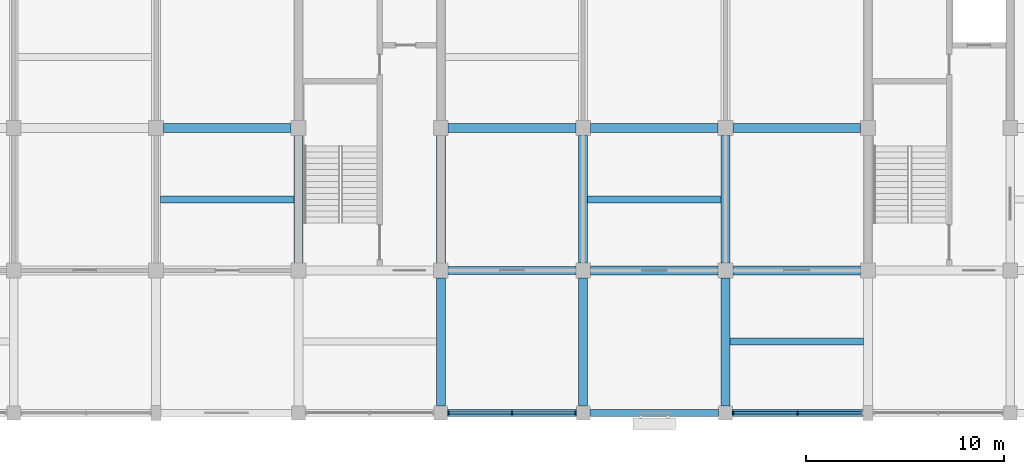
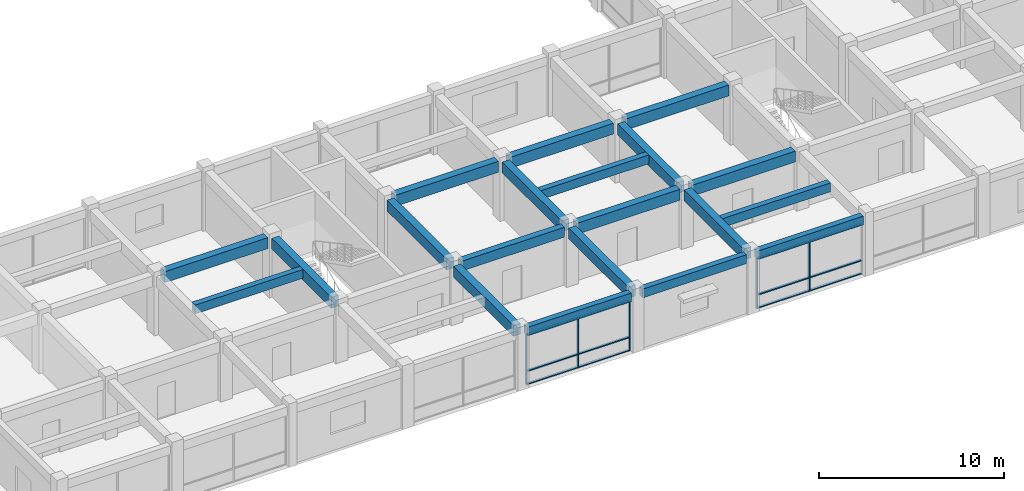
# One storey, part 3 of 31: 20 beams, 17 members, 2 elements without a shape of their own.
"""IFC4 building model written with IfcOpenShell, lengths in metres."""

from ifc_helpers import new_model, si_unit, direction, frame, origin, origin_2d, place, context, subcontext, project, spatial, rectangle, extrude, material, layer, layer_set, material_profile, profile_set, type_object, element, aggregate, save


model = new_model("IFC4")

# Units and contexts
model_context = context("Model", 3, precision=1e-05, world=origin(), true_north=direction((0.0, 1.0)))
body_context = subcontext(model_context, "Body", "Model", "MODEL_VIEW")
ifc_project = project(units=[si_unit("LENGTHUNIT", "METRE"), si_unit("AREAUNIT", "SQUARE_METRE"), si_unit("VOLUMEUNIT", "CUBIC_METRE"), si_unit("PLANEANGLEUNIT", "RADIAN"), si_unit("MASSUNIT", "GRAM", prefix="KILO")], contexts=[model_context])

# Site, building, storey
site_placement = place(None, origin())
site = spatial("IfcSite", under=ifc_project, at=site_placement, CompositionType="ELEMENT")
building_placement = place(site_placement, origin())
building = spatial("IfcBuilding", under=site, at=building_placement, Name="Cendaluz Park School", CompositionType="ELEMENT")
storey_placement = place(building_placement, frame((0.0, 0.0, 14.39990234375)))
storey = spatial("IfcBuildingStorey", under=building, at=storey_placement, Name="L03", CompositionType="ELEMENT", Elevation=14.39990234375)

# Beams
ifc_material_1 = material(Name="Concrete C40/50", Category="concrete")
ifc_material_profile_1 = material_profile(ifc_material_1, rectangle(XDim=0.449951171875, YDim=0.719970703125, at=origin_2d()), Name="RC 450x720", Category="concrete")
ifc_profile_set_1 = profile_set([ifc_material_profile_1], Name="Concrete C40/50")
beam_type_1 = type_object("IfcBeamType", Name="BM-RC02", PredefinedType="BEAM", material=ifc_profile_set_1)
for number, where, z_axis, x_axis, name in (
    (1, (29.175048828125, 21.60009765625, 3.530029296875), (1.0, 0.0, 0.0), (0.0, 1.0, 0.0), "BM-L03-BMRC02-0011"),
    (2, (43.574951171875, 21.60009765625, 3.530029296875), (1.0, 0.0, 0.0), (0.0, 1.0, 0.0), "BM-L03-BMRC02-0018"),
):
    element("IfcBeam", number, at=place(storey_placement, frame(where, z_axis=z_axis, x_axis=x_axis)), inside=storey, type_object=beam_type_1, Name=name, PredefinedType="BEAM", context=body_context, shape_type="SweptSolid", body=[
        extrude(rectangle(XDim=0.449951171875, YDim=0.719970703125, at=origin_2d()), origin(), (0.0, 0.0, 1.0), 6.449951171875),
    ])
for number, where, z_axis, x_axis, name in (
    (3, (50.77490234375, 14.39990234375, 3.530029296875), (1.0, 0.0, 0.0), (0.0, 1.0, 0.0), "BM-L03-BMRC02-0021"),
    (4, (50.77490234375, 21.60009765625, 3.530029296875), (1.0, 0.0, 0.0), (0.0, 1.0, 0.0), "BM-L03-BMRC02-0022"),
):
    element("IfcBeam", number, at=place(storey_placement, frame(where, z_axis=z_axis, x_axis=x_axis)), inside=storey, type_object=beam_type_1, Name=name, PredefinedType="BEAM", context=body_context, shape_type="SweptSolid", body=[
        extrude(rectangle(XDim=0.449951171875, YDim=0.719970703125, at=origin_2d()), origin(), (0.0, 0.0, 1.0), 6.4501953125),
    ])
for number, where, z_axis, x_axis, name in (
    (5, (57.97509765625, 14.39990234375, 3.530029296875), (1.0, 0.0, 0.0), (0.0, 1.0, 0.0), "BM-L03-BMRC02-0025"),
    (6, (57.97509765625, 21.60009765625, 3.530029296875), (1.0, 0.0, 0.0), (0.0, 1.0, 0.0), "BM-L03-BMRC02-0026"),
):
    element("IfcBeam", number, at=place(storey_placement, frame(where, z_axis=z_axis, x_axis=x_axis)), inside=storey, type_object=beam_type_1, Name=name, PredefinedType="BEAM", context=body_context, shape_type="SweptSolid", body=[
        extrude(rectangle(XDim=0.449951171875, YDim=0.719970703125, at=origin_2d()), origin(), (0.0, 0.0, 1.0), 6.449951171875),
    ])
beam_1_placement = place(storey_placement, frame((36.0, 14.77490234375, 3.530029296875), z_axis=(0.0, 1.0, 0.0), x_axis=(-1.0, 0.0, 0.0)))
element("IfcBeam", 7, at=beam_1_placement, inside=storey, type_object=beam_type_1, Name="BM-L03-BMRC02-0121", PredefinedType="BEAM", context=body_context, shape_type="SweptSolid", body=[
    extrude(rectangle(XDim=0.449951171875, YDim=0.719970703125, at=origin_2d()), origin(), (0.0, 0.0, 1.0), 6.4501953125),
])
beam_2_placement = place(storey_placement, frame((43.199951171875, 7.550048828125, 3.530029296875), z_axis=(0.0, 1.0, 0.0), x_axis=(-1.0, 0.0, 0.0)))
element("IfcBeam", 8, at=beam_2_placement, inside=storey, type_object=beam_type_1, Name="BM-L03-BMRC02-0123", PredefinedType="BEAM", context=body_context, shape_type="SweptSolid", body=[
    extrude(rectangle(XDim=0.449951171875, YDim=0.719970703125, at=origin_2d()), origin(), (0.0, 0.0, 1.0), 6.474853515625),
])
beam_3_placement = place(storey_placement, frame((43.199951171875, 14.77490234375, 3.530029296875), z_axis=(0.0, 1.0, 0.0), x_axis=(-1.0, 0.0, 0.0)))
element("IfcBeam", 9, at=beam_3_placement, inside=storey, type_object=beam_type_1, Name="BM-L03-BMRC02-0124", PredefinedType="BEAM", context=body_context, shape_type="SweptSolid", body=[
    extrude(rectangle(XDim=0.449951171875, YDim=0.719970703125, at=origin_2d()), origin(), (0.0, 0.0, 1.0), 6.4501953125),
])
beam_4_placement = place(storey_placement, frame((50.39990234375, 7.550048828125, 3.530029296875), z_axis=(0.0, 1.0, 0.0), x_axis=(-1.0, 0.0, 0.0)))
element("IfcBeam", 10, at=beam_4_placement, inside=storey, type_object=beam_type_1, Name="BM-L03-BMRC02-0126", PredefinedType="BEAM", context=body_context, shape_type="SweptSolid", body=[
    extrude(rectangle(XDim=0.449951171875, YDim=0.719970703125, at=origin_2d()), origin(), (0.0, 0.0, 1.0), 6.474853515625),
])
beam_5_placement = place(storey_placement, frame((50.39990234375, 14.77490234375, 3.530029296875), z_axis=(0.0, 1.0, 0.0), x_axis=(-1.0, 0.0, 0.0)))
element("IfcBeam", 11, at=beam_5_placement, inside=storey, type_object=beam_type_1, Name="BM-L03-BMRC02-0127", PredefinedType="BEAM", context=body_context, shape_type="SweptSolid", body=[
    extrude(rectangle(XDim=0.449951171875, YDim=0.719970703125, at=origin_2d()), origin(), (0.0, 0.0, 1.0), 6.4501953125),
])
beam_6_placement = place(storey_placement, frame((57.60009765625, 7.550048828125, 3.530029296875), z_axis=(0.0, 1.0, 0.0), x_axis=(-1.0, 0.0, 0.0)))
element("IfcBeam", 12, at=beam_6_placement, inside=storey, type_object=beam_type_1, Name="BM-L03-BMRC02-0129", PredefinedType="BEAM", context=body_context, shape_type="SweptSolid", body=[
    extrude(rectangle(XDim=0.449951171875, YDim=0.719970703125, at=origin_2d()), origin(), (0.0, 0.0, 1.0), 6.474853515625),
])
beam_7_placement = place(storey_placement, frame((57.60009765625, 14.77490234375, 3.530029296875), z_axis=(0.0, 1.0, 0.0), x_axis=(-1.0, 0.0, 0.0)))
element("IfcBeam", 13, at=beam_7_placement, inside=storey, type_object=beam_type_1, Name="BM-L03-BMRC02-0130", PredefinedType="BEAM", context=body_context, shape_type="SweptSolid", body=[
    extrude(rectangle(XDim=0.449951171875, YDim=0.719970703125, at=origin_2d()), origin(), (0.0, 0.0, 1.0), 6.4501953125),
])
ifc_material_profile_2 = material_profile(ifc_material_1, rectangle(XDim=0.39990234375, YDim=0.64990234375, at=origin_2d()), Name="RC 400x650", Category="concrete")
ifc_profile_set_2 = profile_set([ifc_material_profile_2], Name="Concrete C40/50")
beam_type_2 = type_object("IfcBeamType", Name="BM-RC03", PredefinedType="T_BEAM", material=ifc_profile_set_2)
beam_8_placement = place(storey_placement, frame((43.574951171875, 14.39990234375, 3.565185546875), z_axis=(1.0, 0.0, 0.0), x_axis=(0.0, 1.0, 0.0)))
element("IfcBeam", 14, at=beam_8_placement, inside=storey, type_object=beam_type_2, Name="BM-L03-BMRC03-0017", PredefinedType="T_BEAM", context=body_context, shape_type="SweptSolid", body=[
    extrude(rectangle(XDim=0.39990234375, YDim=0.64990234375, at=origin_2d()), origin(), (0.0, 0.0, 1.0), 6.449951171875),
])
ifc_material_profile_3 = material_profile(ifc_material_1, rectangle(XDim=0.35009765625, YDim=0.580078125, at=origin_2d()), Name="RC 350x580", Category="concrete")
ifc_profile_set_3 = profile_set([ifc_material_profile_3], Name="Concrete C40/50")
beam_type_3 = type_object("IfcBeamType", Name="BM-RC04", PredefinedType="LINTEL", material=ifc_profile_set_3)
for number, where, z_axis, x_axis, name in (
    (15, (43.550048828125, 7.199951171875, 3.60009765625), (1.0, 0.0, 0.0), (0.0, 1.0, 0.0), "BM-L03-BMRC04-0016"),
    (16, (50.75, 7.199951171875, 3.60009765625), (1.0, 0.0, 0.0), (0.0, 1.0, 0.0), "BM-L03-BMRC04-0020"),
):
    element("IfcBeam", number, at=place(storey_placement, frame(where, z_axis=z_axis, x_axis=x_axis)), inside=storey, type_object=beam_type_3, Name=name, PredefinedType="LINTEL", context=body_context, shape_type="SweptSolid", body=[
        extrude(rectangle(XDim=0.35009765625, YDim=0.580078125, at=origin_2d()), origin(), (0.0, 0.0, 1.0), 6.5),
    ])
beam_9_placement = place(storey_placement, frame((57.949951171875, 7.199951171875, 3.60009765625), z_axis=(1.0, 0.0, 0.0), x_axis=(0.0, 1.0, 0.0)))
element("IfcBeam", 17, at=beam_9_placement, inside=storey, type_object=beam_type_3, Name="BM-L03-BMRC04-0024", PredefinedType="LINTEL", context=body_context, shape_type="SweptSolid", body=[
    extrude(rectangle(XDim=0.35009765625, YDim=0.580078125, at=origin_2d()), origin(), (0.0, 0.0, 1.0), 6.60009765625),
])

# Curtain wall, members
ifc_material_2 = material(Name="Anodised Aluminium 6063-T6", Category="aluminium")
ifc_layer_1 = layer(ifc_material_2, 0.179931640625)
ifc_layer_set_1 = layer_set([ifc_layer_1], Name="Anodised Aluminium 6063-T6")
curtain_wall_type_1 = type_object("IfcCurtainWallType", Name="CW-130x66", PredefinedType="NOTDEFINED", material=ifc_layer_set_1)
curtain_wall_1_placement = place(storey_placement, origin())
curtain_wall_1 = element("IfcCurtainWall", 18, at=curtain_wall_1_placement, inside=storey, type_object=curtain_wall_type_1, Name="CW-L03-136", PredefinedType="NOTDEFINED")
ifc_material_profile_4 = material_profile(ifc_material_2, rectangle(XDim=0.179931640625, YDim=0.070068359375, at=origin_2d()), Name="CWM 180x70", Category="aluminium")
ifc_profile_set_4 = profile_set([ifc_material_profile_4], Name="Anodised Aluminium 6063-T6")
member_type_1 = type_object("IfcMemberType", Name="CWM-01", PredefinedType="MULLION", material=ifc_profile_set_4)
member_1_placement = place(storey_placement, frame((43.5849609375, 7.199951171875, 0.0), z_axis=(0.0, 0.0, 1.0), x_axis=(0.0, 1.0, 0.0)))
member_1 = element("IfcMember", 19, at=member_1_placement, type_object=member_type_1, Name="CP-L03-1756", PredefinedType="MULLION", context=body_context, shape_type="SweptSolid", body=[
    extrude(rectangle(XDim=0.179931640625, YDim=0.070068359375, at=origin_2d()), origin(), (0.0, 0.0, 1.0), 3.31005859375),
])
member_2_placement = place(storey_placement, frame((46.800048828125, 7.199951171875, 0.0), z_axis=(0.0, 0.0, 1.0), x_axis=(0.0, 1.0, 0.0)))
member_2 = element("IfcMember", 20, at=member_2_placement, type_object=member_type_1, Name="CP-L03-1757", PredefinedType="MULLION", context=body_context, shape_type="SweptSolid", body=[
    extrude(rectangle(XDim=0.179931640625, YDim=0.070068359375, at=origin_2d()), origin(), (0.0, 0.0, 1.0), 3.31005859375),
])
member_3_placement = place(storey_placement, frame((50.014892578125, 7.199951171875, 0.0), z_axis=(0.0, 0.0, 1.0), x_axis=(0.0, 1.0, 0.0)))
member_3 = element("IfcMember", 21, at=member_3_placement, type_object=member_type_1, Name="CP-L03-1758", PredefinedType="MULLION", context=body_context, shape_type="SweptSolid", body=[
    extrude(rectangle(XDim=0.179931640625, YDim=0.070068359375, at=origin_2d()), origin(), (0.0, 0.0, 1.0), 3.31005859375),
])

ifc_layer_2 = layer(ifc_material_2, 0.179931640625)
ifc_layer_set_2 = layer_set([ifc_layer_2], Name="Anodised Aluminium 6063-T6")
curtain_wall_type_2 = type_object("IfcCurtainWallType", Name="CW-132x66", PredefinedType="NOTDEFINED", material=ifc_layer_set_2)
curtain_wall_2_placement = place(storey_placement, origin())
curtain_wall_2 = element("IfcCurtainWall", 22, at=curtain_wall_2_placement, inside=storey, type_object=curtain_wall_type_2, Name="CW-L03-138", PredefinedType="NOTDEFINED")
member_4_placement = place(storey_placement, frame((57.985107421875, 7.199951171875, 0.0), z_axis=(0.0, 0.0, 1.0), x_axis=(0.0, 1.0, 0.0)))
member_4 = element("IfcMember", 23, at=member_4_placement, type_object=member_type_1, Name="CP-L03-1782", PredefinedType="MULLION", context=body_context, shape_type="SweptSolid", body=[
    extrude(rectangle(XDim=0.179931640625, YDim=0.070068359375, at=origin_2d()), origin(), (0.0, 0.0, 1.0), 3.31005859375),
])
member_5_placement = place(storey_placement, frame((61.25, 7.199951171875, 0.0), z_axis=(0.0, 0.0, 1.0), x_axis=(0.0, 1.0, 0.0)))
member_5 = element("IfcMember", 24, at=member_5_placement, type_object=member_type_1, Name="CP-L03-1783", PredefinedType="MULLION", context=body_context, shape_type="SweptSolid", body=[
    extrude(rectangle(XDim=0.179931640625, YDim=0.070068359375, at=origin_2d()), origin(), (0.0, 0.0, 1.0), 3.31005859375),
])

# Member
ifc_material_profile_5 = material_profile(ifc_material_2, rectangle(XDim=0.139892578125, YDim=0.070068359375, at=origin_2d()), Name="CWT 140x70", Category="aluminium")
ifc_profile_set_5 = profile_set([ifc_material_profile_5], Name="Anodised Aluminium 6063-T6")
member_type_2 = type_object("IfcMemberType", Name="CWT-01", PredefinedType="USERDEFINED", material=ifc_profile_set_5)
member_6_placement = place(storey_placement, frame((43.6201171875, 7.199951171875, 0.03515625), z_axis=(1.0, 0.0, 0.0), x_axis=(0.0, 1.0, 0.0)))
member_6 = element("IfcMember", 25, at=member_6_placement, type_object=member_type_2, Name="CP-L03-1759", ObjectType="TRANSOM", PredefinedType="USERDEFINED", context=body_context, shape_type="SweptSolid", body=[
    extrude(rectangle(XDim=0.139892578125, YDim=0.070068359375, at=origin_2d()), origin(), (0.0, 0.0, 1.0), 3.144775390625),
])

member_7_placement = place(storey_placement, frame((43.6201171875, 7.199951171875, 0.900146484375), z_axis=(1.0, 0.0, 0.0), x_axis=(0.0, 1.0, 0.0)))
member_7 = element("IfcMember", 26, at=member_7_placement, type_object=member_type_2, Name="CP-L03-1760", ObjectType="TRANSOM", PredefinedType="USERDEFINED", context=body_context, shape_type="SweptSolid", body=[
    extrude(rectangle(XDim=0.139892578125, YDim=0.070068359375, at=origin_2d()), origin(), (0.0, 0.0, 1.0), 3.144775390625),
])

member_8_placement = place(storey_placement, frame((43.6201171875, 7.199951171875, 3.275146484375), z_axis=(1.0, 0.0, 0.0), x_axis=(0.0, 1.0, 0.0)))
member_8 = element("IfcMember", 27, at=member_8_placement, type_object=member_type_2, Name="CP-L03-1761", ObjectType="TRANSOM", PredefinedType="USERDEFINED", context=body_context, shape_type="SweptSolid", body=[
    extrude(rectangle(XDim=0.139892578125, YDim=0.070068359375, at=origin_2d()), origin(), (0.0, 0.0, 1.0), 3.144775390625),
])

member_9_placement = place(storey_placement, frame((46.8349609375, 7.199951171875, 0.03515625), z_axis=(1.0, 0.0, 0.0), x_axis=(0.0, 1.0, 0.0)))
member_9 = element("IfcMember", 28, at=member_9_placement, type_object=member_type_2, Name="CP-L03-1764", ObjectType="TRANSOM", PredefinedType="USERDEFINED", context=body_context, shape_type="SweptSolid", body=[
    extrude(rectangle(XDim=0.139892578125, YDim=0.070068359375, at=origin_2d()), origin(), (0.0, 0.0, 1.0), 3.14501953125),
])

member_10_placement = place(storey_placement, frame((46.8349609375, 7.199951171875, 0.900146484375), z_axis=(1.0, 0.0, 0.0), x_axis=(0.0, 1.0, 0.0)))
member_10 = element("IfcMember", 29, at=member_10_placement, type_object=member_type_2, Name="CP-L03-1765", ObjectType="TRANSOM", PredefinedType="USERDEFINED", context=body_context, shape_type="SweptSolid", body=[
    extrude(rectangle(XDim=0.139892578125, YDim=0.070068359375, at=origin_2d()), origin(), (0.0, 0.0, 1.0), 3.14501953125),
])

member_11_placement = place(storey_placement, frame((46.8349609375, 7.199951171875, 3.275146484375), z_axis=(1.0, 0.0, 0.0), x_axis=(0.0, 1.0, 0.0)))
member_11 = element("IfcMember", 30, at=member_11_placement, type_object=member_type_2, Name="CP-L03-1766", ObjectType="TRANSOM", PredefinedType="USERDEFINED", context=body_context, shape_type="SweptSolid", body=[
    extrude(rectangle(XDim=0.139892578125, YDim=0.070068359375, at=origin_2d()), origin(), (0.0, 0.0, 1.0), 3.14501953125),
])

aggregate(curtain_wall_1, [member_1, member_2, member_3, member_6, member_7, member_8, member_9, member_10, member_11])

member_12_placement = place(storey_placement, frame((58.02001953125, 7.199951171875, 0.03515625), z_axis=(1.0, 0.0, 0.0), x_axis=(0.0, 1.0, 0.0)))
member_12 = element("IfcMember", 31, at=member_12_placement, type_object=member_type_2, Name="CP-L03-1785", ObjectType="TRANSOM", PredefinedType="USERDEFINED", context=body_context, shape_type="SweptSolid", body=[
    extrude(rectangle(XDim=0.139892578125, YDim=0.070068359375, at=origin_2d()), origin(), (0.0, 0.0, 1.0), 3.195068359375),
])

member_13_placement = place(storey_placement, frame((58.02001953125, 7.199951171875, 0.900146484375), z_axis=(1.0, 0.0, 0.0), x_axis=(0.0, 1.0, 0.0)))
member_13 = element("IfcMember", 32, at=member_13_placement, type_object=member_type_2, Name="CP-L03-1786", ObjectType="TRANSOM", PredefinedType="USERDEFINED", context=body_context, shape_type="SweptSolid", body=[
    extrude(rectangle(XDim=0.139892578125, YDim=0.070068359375, at=origin_2d()), origin(), (0.0, 0.0, 1.0), 3.195068359375),
])

member_14_placement = place(storey_placement, frame((58.02001953125, 7.199951171875, 3.275146484375), z_axis=(1.0, 0.0, 0.0), x_axis=(0.0, 1.0, 0.0)))
member_14 = element("IfcMember", 33, at=member_14_placement, type_object=member_type_2, Name="CP-L03-1787", ObjectType="TRANSOM", PredefinedType="USERDEFINED", context=body_context, shape_type="SweptSolid", body=[
    extrude(rectangle(XDim=0.139892578125, YDim=0.070068359375, at=origin_2d()), origin(), (0.0, 0.0, 1.0), 3.195068359375),
])

member_15_placement = place(storey_placement, frame((61.284912109375, 7.199951171875, 0.03515625), z_axis=(1.0, 0.0, 0.0), x_axis=(0.0, 1.0, 0.0)))
member_15 = element("IfcMember", 34, at=member_15_placement, type_object=member_type_2, Name="CP-L03-1790", ObjectType="TRANSOM", PredefinedType="USERDEFINED", context=body_context, shape_type="SweptSolid", body=[
    extrude(rectangle(XDim=0.139892578125, YDim=0.070068359375, at=origin_2d()), origin(), (0.0, 0.0, 1.0), 3.195068359375),
])

member_16_placement = place(storey_placement, frame((61.284912109375, 7.199951171875, 0.900146484375), z_axis=(1.0, 0.0, 0.0), x_axis=(0.0, 1.0, 0.0)))
member_16 = element("IfcMember", 35, at=member_16_placement, type_object=member_type_2, Name="CP-L03-1791", ObjectType="TRANSOM", PredefinedType="USERDEFINED", context=body_context, shape_type="SweptSolid", body=[
    extrude(rectangle(XDim=0.139892578125, YDim=0.070068359375, at=origin_2d()), origin(), (0.0, 0.0, 1.0), 3.195068359375),
])

member_17_placement = place(storey_placement, frame((61.284912109375, 7.199951171875, 3.275146484375), z_axis=(1.0, 0.0, 0.0), x_axis=(0.0, 1.0, 0.0)))
member_17 = element("IfcMember", 36, at=member_17_placement, type_object=member_type_2, Name="CP-L03-1792", ObjectType="TRANSOM", PredefinedType="USERDEFINED", context=body_context, shape_type="SweptSolid", body=[
    extrude(rectangle(XDim=0.139892578125, YDim=0.070068359375, at=origin_2d()), origin(), (0.0, 0.0, 1.0), 3.195068359375),
])

aggregate(curtain_wall_2, [member_4, member_5, member_12, member_13, member_14, member_15, member_16, member_17])

# Beams
ifc_material_profile_6 = material_profile(ifc_material_1, rectangle(XDim=0.35009765625, YDim=0.580078125, at=origin_2d()), Name="RC 350x580", Category="concrete")
ifc_profile_set_6 = profile_set([ifc_material_profile_6], Name="Concrete C40/50")
beam_type_4 = type_object("IfcBeamType", Name="JT-RC01", PredefinedType="JOIST", material=ifc_profile_set_6)
for number, where, z_axis, x_axis, name in (
    (37, (29.02490234375, 18.0, 3.60009765625), (1.0, 0.0, 0.0), (0.0, 1.0, 0.0), "BM-L03-JTRC01-0218"),
    (38, (50.625, 18.0, 3.60009765625), (1.0, 0.0, 0.0), (0.0, 1.0, 0.0), "BM-L03-JTRC01-0221"),
    (39, (57.824951171875, 10.800048828125, 3.60009765625), (1.0, 0.0, 0.0), (0.0, 1.0, 0.0), "BM-L03-JTRC01-0222"),
):
    element("IfcBeam", number, at=place(storey_placement, frame(where, z_axis=z_axis, x_axis=x_axis)), inside=storey, type_object=beam_type_4, Name=name, PredefinedType="JOIST", context=body_context, shape_type="SweptSolid", body=[
        extrude(rectangle(XDim=0.35009765625, YDim=0.580078125, at=origin_2d()), origin(), (0.0, 0.0, 1.0), 6.75),
    ])

save(model, "model.ifc")
